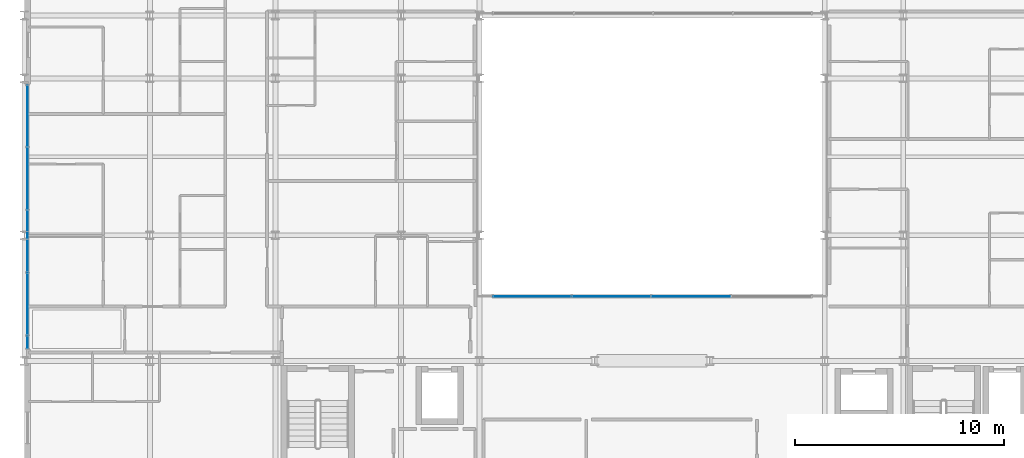
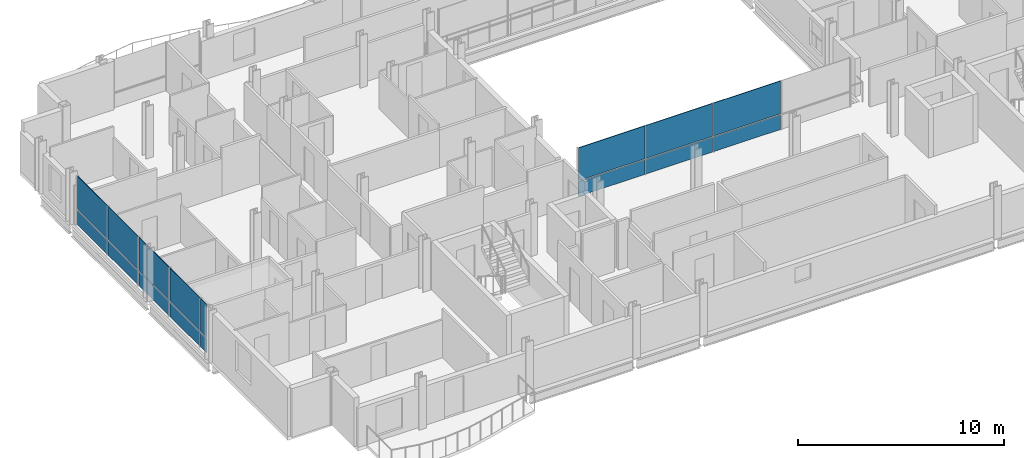
# One storey, part 26 of 40: 16 plates, 2 elements without a shape of their own.
"""IFC4 building model written with IfcOpenShell, lengths in metres."""

from ifc_helpers import new_model, si_unit, direction, frame, origin, origin_2d, place, context, subcontext, project, spatial, rectangle, extrude, material, layer, layer_set, type_object, element, aggregate, save


model = new_model("IFC4")

# Units and contexts
model_context = context("Model", 3, precision=1e-05, world=origin(), true_north=direction((0.0, 1.0)))
body_context = subcontext(model_context, "Body", "Model", "MODEL_VIEW")
ifc_project = project(units=[si_unit("LENGTHUNIT", "METRE"), si_unit("AREAUNIT", "SQUARE_METRE"), si_unit("VOLUMEUNIT", "CUBIC_METRE"), si_unit("PLANEANGLEUNIT", "RADIAN"), si_unit("MASSUNIT", "GRAM", prefix="KILO")], contexts=[model_context])

# Site, building, storey
site_placement = place(None, origin())
site = spatial("IfcSite", under=ifc_project, at=site_placement, CompositionType="ELEMENT")
building_placement = place(site_placement, origin())
building = spatial("IfcBuilding", under=site, at=building_placement, Name="Brevholm Reach", CompositionType="ELEMENT")
storey_placement = place(building_placement, frame((0.0, 0.0, 119.0)))
storey = spatial("IfcBuildingStorey", under=building, at=storey_placement, Name="L35", CompositionType="ELEMENT", Elevation=119.0)

# Curtain wall, plates
ifc_material_1 = material(Name="Dark Anodised Aluminium 6063-T6 and Solar-Control Glass", Category="aluminium")
ifc_layer_1 = layer(ifc_material_1, 0.14990234375)
ifc_layer_set_1 = layer_set([ifc_layer_1], Name="Dark Anodised Aluminium 6063-T6 and Solar-Control Glass")
curtain_wall_type_1 = type_object("IfcCurtainWallType", Name="CW-01", PredefinedType="NOTDEFINED", material=ifc_layer_set_1)
curtain_wall_1_placement = place(storey_placement, origin())
curtain_wall_1 = element("IfcCurtainWall", 1, at=curtain_wall_1_placement, inside=storey, type_object=curtain_wall_type_1, Name="L35 Curtain Wall CW-01", PredefinedType="NOTDEFINED")
ifc_material_2 = material(Name="Dark Solar-Control Double-Glazed IGU Glass", Category="glass")
ifc_layer_2 = layer(ifc_material_2, 0.028076171875)
ifc_layer_set_2 = layer_set([ifc_layer_2], Name="Dark Solar-Control Double-Glazed IGU Glass")
plate_type_1 = type_object("IfcPlateType", Name="CWP-GLZ-28", PredefinedType="CURTAIN_PANEL", material=ifc_layer_set_2)
plate_1_placement = place(storey_placement, frame((0.14990234375, 21.703857421875, 0.0), z_axis=(0.0, 0.0, 1.0), x_axis=(0.0, -1.0, 0.0)))
plate_1 = element("IfcPlate", 2, at=plate_1_placement, type_object=plate_type_1, Name="CP-01 Glazing Panel 1.1", PredefinedType="CURTAIN_PANEL", context=body_context, shape_type="SweptSolid", body=[
    extrude(rectangle(XDim=2.902587890625, YDim=0.028076171875, at=origin_2d()), origin(), (0.0, 0.0, 1.0), 0.867431640625),
])
plate_2_placement = place(storey_placement, frame((0.14990234375, 21.703857421875, 0.9326171875), z_axis=(0.0, 0.0, 1.0), x_axis=(0.0, -1.0, 0.0)))
plate_2 = element("IfcPlate", 3, at=plate_2_placement, type_object=plate_type_1, Name="CP-01 Glazing Panel 1.2", PredefinedType="CURTAIN_PANEL", context=body_context, shape_type="SweptSolid", body=[
    extrude(rectangle(XDim=2.902587890625, YDim=0.028076171875, at=origin_2d()), origin(), (0.0, 0.0, 1.0), 1.947509765625),
])
plate_3_placement = place(storey_placement, frame((0.14990234375, 18.719970703125, 0.0), z_axis=(0.0, 0.0, 1.0), x_axis=(0.0, -1.0, 0.0)))
plate_3 = element("IfcPlate", 4, at=plate_3_placement, type_object=plate_type_1, Name="CP-01 Glazing Panel 2.1", PredefinedType="CURTAIN_PANEL", context=body_context, shape_type="SweptSolid", body=[
    extrude(rectangle(XDim=2.93505859375, YDim=0.028076171875, at=origin_2d()), origin(), (0.0, 0.0, 1.0), 0.867431640625),
])
plate_4_placement = place(storey_placement, frame((0.14990234375, 18.719970703125, 0.9326171875), z_axis=(0.0, 0.0, 1.0), x_axis=(0.0, -1.0, 0.0)))
plate_4 = element("IfcPlate", 5, at=plate_4_placement, type_object=plate_type_1, Name="CP-01 Glazing Panel 2.2", PredefinedType="CURTAIN_PANEL", context=body_context, shape_type="SweptSolid", body=[
    extrude(rectangle(XDim=2.93505859375, YDim=0.028076171875, at=origin_2d()), origin(), (0.0, 0.0, 1.0), 1.947509765625),
])
plate_5_placement = place(storey_placement, frame((0.14990234375, 15.719970703125, 0.0), z_axis=(0.0, 0.0, 1.0), x_axis=(0.0, -1.0, 0.0)))
plate_5 = element("IfcPlate", 6, at=plate_5_placement, type_object=plate_type_1, Name="CP-01 Glazing Panel 3.1", PredefinedType="CURTAIN_PANEL", context=body_context, shape_type="SweptSolid", body=[
    extrude(rectangle(XDim=2.93505859375, YDim=0.028076171875, at=origin_2d()), origin(), (0.0, 0.0, 1.0), 0.867431640625),
])
plate_6_placement = place(storey_placement, frame((0.14990234375, 15.719970703125, 0.9326171875), z_axis=(0.0, 0.0, 1.0), x_axis=(0.0, -1.0, 0.0)))
plate_6 = element("IfcPlate", 7, at=plate_6_placement, type_object=plate_type_1, Name="CP-01 Glazing Panel 3.2", PredefinedType="CURTAIN_PANEL", context=body_context, shape_type="SweptSolid", body=[
    extrude(rectangle(XDim=2.93505859375, YDim=0.028076171875, at=origin_2d()), origin(), (0.0, 0.0, 1.0), 1.947509765625),
])
plate_7_placement = place(storey_placement, frame((0.14990234375, 12.719970703125, 0.0), z_axis=(0.0, 0.0, 1.0), x_axis=(0.0, -1.0, 0.0)))
plate_7 = element("IfcPlate", 8, at=plate_7_placement, type_object=plate_type_1, Name="CP-01 Glazing Panel 4.1", PredefinedType="CURTAIN_PANEL", context=body_context, shape_type="SweptSolid", body=[
    extrude(rectangle(XDim=2.93505859375, YDim=0.028076171875, at=origin_2d()), origin(), (0.0, 0.0, 1.0), 0.867431640625),
])
plate_8_placement = place(storey_placement, frame((0.14990234375, 12.719970703125, 0.9326171875), z_axis=(0.0, 0.0, 1.0), x_axis=(0.0, -1.0, 0.0)))
plate_8 = element("IfcPlate", 9, at=plate_8_placement, type_object=plate_type_1, Name="CP-01 Glazing Panel 4.2", PredefinedType="CURTAIN_PANEL", context=body_context, shape_type="SweptSolid", body=[
    extrude(rectangle(XDim=2.93505859375, YDim=0.028076171875, at=origin_2d()), origin(), (0.0, 0.0, 1.0), 1.947509765625),
])
plate_9_placement = place(storey_placement, frame((0.14990234375, 10.9013671875, 0.0), z_axis=(0.0, 0.0, 1.0), x_axis=(0.0, -1.0, 0.0)))
plate_9 = element("IfcPlate", 10, at=plate_9_placement, type_object=plate_type_1, Name="CP-01 Glazing Panel 5.1", PredefinedType="CURTAIN_PANEL", context=body_context, shape_type="SweptSolid", body=[
    extrude(rectangle(XDim=0.572509765625, YDim=0.028076171875, at=origin_2d()), origin(), (0.0, 0.0, 1.0), 0.867431640625),
])
plate_10_placement = place(storey_placement, frame((0.14990234375, 10.9013671875, 0.9326171875), z_axis=(0.0, 0.0, 1.0), x_axis=(0.0, -1.0, 0.0)))
plate_10 = element("IfcPlate", 11, at=plate_10_placement, type_object=plate_type_1, Name="CP-01 Glazing Panel 5.2", PredefinedType="CURTAIN_PANEL", context=body_context, shape_type="SweptSolid", body=[
    extrude(rectangle(XDim=0.572509765625, YDim=0.028076171875, at=origin_2d()), origin(), (0.0, 0.0, 1.0), 1.947509765625),
])
aggregate(curtain_wall_1, [plate_1, plate_2, plate_3, plate_4, plate_5, plate_6, plate_7, plate_8, plate_9, plate_10])

ifc_material_3 = material(Name="Dark Anodised Aluminium 6063-T6 and Solar-Control Glass", Category="aluminium")
ifc_layer_3 = layer(ifc_material_3, 0.139892578125)
ifc_layer_set_3 = layer_set([ifc_layer_3], Name="Dark Anodised Aluminium 6063-T6 and Solar-Control Glass")
curtain_wall_type_2 = type_object("IfcCurtainWallType", Name="CW-02", PredefinedType="NOTDEFINED", material=ifc_layer_set_3)
curtain_wall_2_placement = place(storey_placement, origin())
curtain_wall_2 = element("IfcCurtainWall", 12, at=curtain_wall_2_placement, inside=storey, type_object=curtain_wall_type_2, Name="L35 Curtain Wall CW-02", PredefinedType="NOTDEFINED")
ifc_material_4 = material(Name="Low-Iron Laminated Acoustic Glass", Category="glass")
ifc_layer_4 = layer(ifc_material_4, 0.035888671875)
ifc_layer_set_4 = layer_set([ifc_layer_4], Name="Low-Iron Laminated Acoustic Glass")
plate_type_2 = type_object("IfcPlateType", Name="CWP-GLZ-36", PredefinedType="CURTAIN_PANEL", material=ifc_layer_set_4)
plate_11_placement = place(storey_placement, frame((24.264892578125, 13.080078125, 0.0), z_axis=(0.0, 0.0, 1.0), x_axis=(1.0, 0.0, 0.0)))
plate_11 = element("IfcPlate", 13, at=plate_11_placement, type_object=plate_type_2, Name="CP-02 Glazing Panel 1.1", PredefinedType="CURTAIN_PANEL", context=body_context, shape_type="SweptSolid", body=[
    extrude(rectangle(XDim=3.7099609375, YDim=0.035888671875, at=origin_2d()), origin(), (0.0, 0.0, 1.0), 0.8701171875),
])
plate_12_placement = place(storey_placement, frame((24.264892578125, 13.080078125, 0.93017578125), z_axis=(0.0, 0.0, 1.0), x_axis=(1.0, 0.0, 0.0)))
plate_12 = element("IfcPlate", 14, at=plate_12_placement, type_object=plate_type_2, Name="CP-02 Glazing Panel 1.2", PredefinedType="CURTAIN_PANEL", context=body_context, shape_type="SweptSolid", body=[
    extrude(rectangle(XDim=3.7099609375, YDim=0.035888671875, at=origin_2d()), origin(), (0.0, 0.0, 1.0), 1.949951171875),
])
plate_13_placement = place(storey_placement, frame((28.050048828125, 13.080078125, 0.0), z_axis=(0.0, 0.0, 1.0), x_axis=(1.0, 0.0, 0.0)))
plate_13 = element("IfcPlate", 15, at=plate_13_placement, type_object=plate_type_2, Name="CP-02 Glazing Panel 2.1", PredefinedType="CURTAIN_PANEL", context=body_context, shape_type="SweptSolid", body=[
    extrude(rectangle(XDim=3.739990234375, YDim=0.035888671875, at=origin_2d()), origin(), (0.0, 0.0, 1.0), 0.8701171875),
])
plate_14_placement = place(storey_placement, frame((28.050048828125, 13.080078125, 0.93017578125), z_axis=(0.0, 0.0, 1.0), x_axis=(1.0, 0.0, 0.0)))
plate_14 = element("IfcPlate", 16, at=plate_14_placement, type_object=plate_type_2, Name="CP-02 Glazing Panel 2.2", PredefinedType="CURTAIN_PANEL", context=body_context, shape_type="SweptSolid", body=[
    extrude(rectangle(XDim=3.739990234375, YDim=0.035888671875, at=origin_2d()), origin(), (0.0, 0.0, 1.0), 1.949951171875),
])
plate_15_placement = place(storey_placement, frame((31.85009765625, 13.080078125, 0.0), z_axis=(0.0, 0.0, 1.0), x_axis=(1.0, 0.0, 0.0)))
plate_15 = element("IfcPlate", 17, at=plate_15_placement, type_object=plate_type_2, Name="CP-02 Glazing Panel 3.1", PredefinedType="CURTAIN_PANEL", context=body_context, shape_type="SweptSolid", body=[
    extrude(rectangle(XDim=3.739990234375, YDim=0.035888671875, at=origin_2d()), origin(), (0.0, 0.0, 1.0), 0.8701171875),
])
plate_16_placement = place(storey_placement, frame((31.85009765625, 13.080078125, 0.93017578125), z_axis=(0.0, 0.0, 1.0), x_axis=(1.0, 0.0, 0.0)))
plate_16 = element("IfcPlate", 18, at=plate_16_placement, type_object=plate_type_2, Name="CP-02 Glazing Panel 3.2", PredefinedType="CURTAIN_PANEL", context=body_context, shape_type="SweptSolid", body=[
    extrude(rectangle(XDim=3.739990234375, YDim=0.035888671875, at=origin_2d()), origin(), (0.0, 0.0, 1.0), 1.949951171875),
])
aggregate(curtain_wall_2, [plate_11, plate_12, plate_13, plate_14, plate_15, plate_16])

save(model, "model.ifc")
